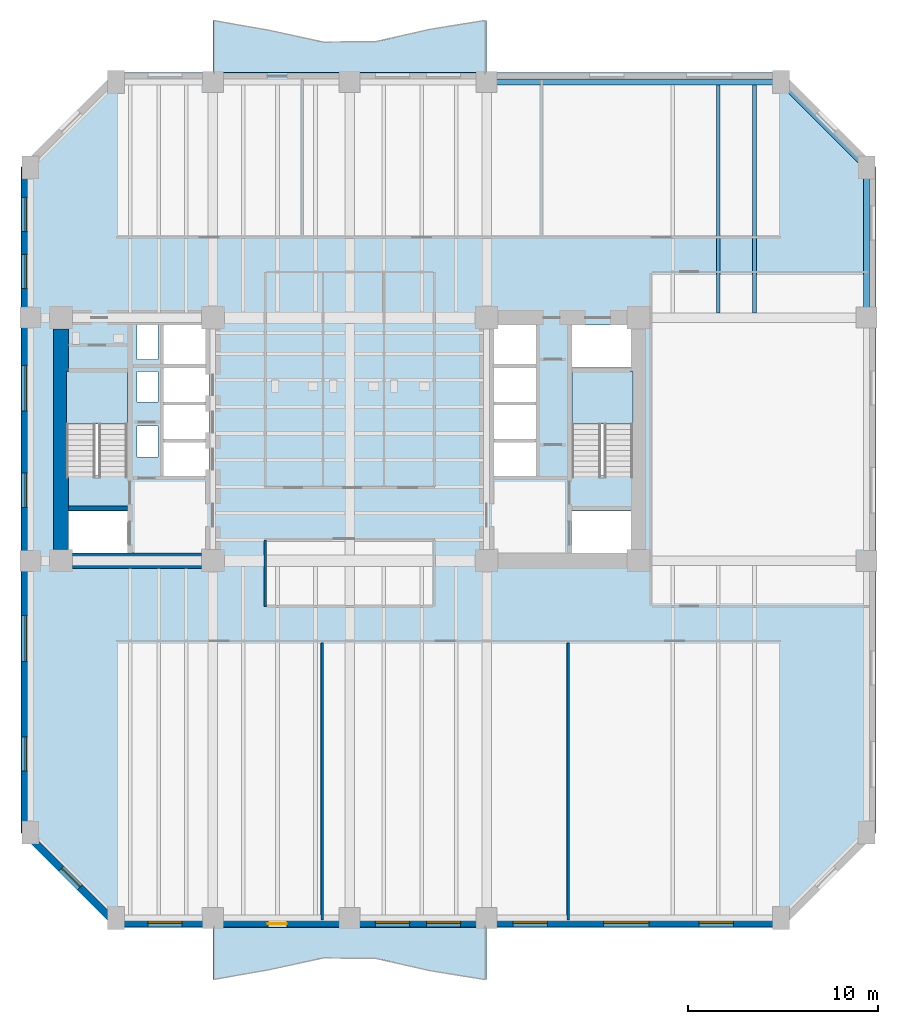
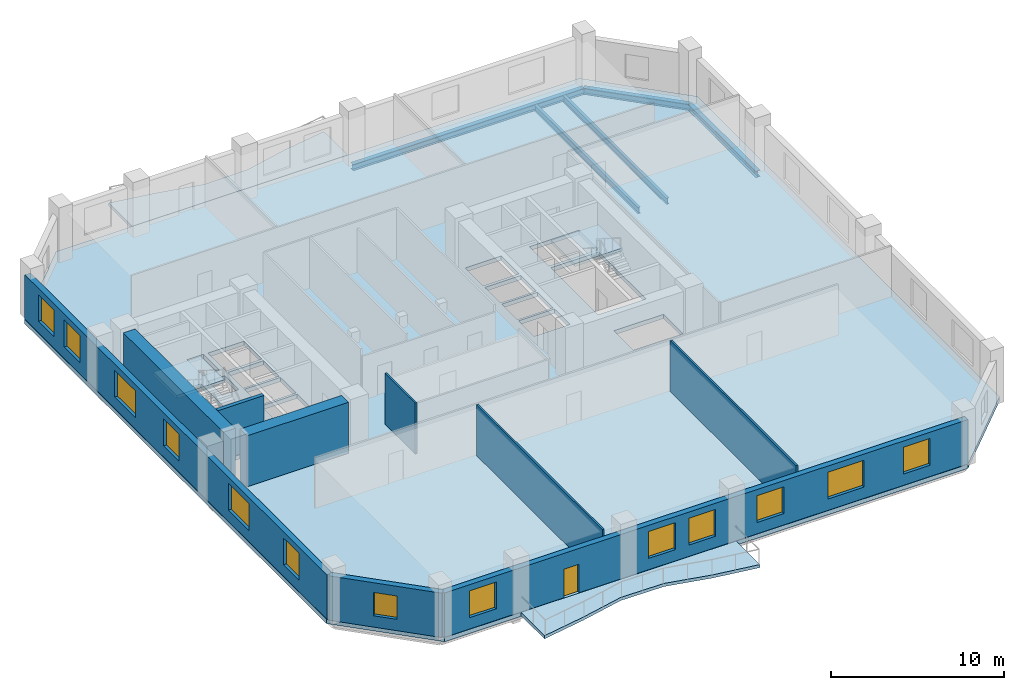
# One storey, part 2 of 9: 13 windows, 9 walls, 5 beams, 5 slabs, 1 door, 14 openings, 2 elements without a shape of their own.
"""IFC4 building model written with IfcOpenShell, lengths in metres."""

from ifc_helpers import new_model, si_unit, direction, frame, frame_2d, origin, origin_2d, place, context, subcontext, project, spatial, polyline, rectangle, i_section, outline, extrude, material, layer, layer_set, material_profile, profile_set, type_object, element, fill, aggregate, save


model = new_model("IFC4")

# Units and contexts
model_context = context("Model", 3, precision=1e-05, world=origin(), true_north=direction((0.0, 1.0)))
body_context = subcontext(model_context, "Body", "Model", "MODEL_VIEW")
ifc_project = project(units=[si_unit("LENGTHUNIT", "METRE"), si_unit("AREAUNIT", "SQUARE_METRE"), si_unit("VOLUMEUNIT", "CUBIC_METRE"), si_unit("PLANEANGLEUNIT", "RADIAN"), si_unit("MASSUNIT", "GRAM", prefix="KILO")], contexts=[model_context])

# Site, building, storey
site_placement = place(None, origin())
site = spatial("IfcSite", under=ifc_project, at=site_placement, CompositionType="ELEMENT")
building_placement = place(site_placement, origin())
building = spatial("IfcBuilding", under=site, at=building_placement, Name="Kranthara Brick Stack", CompositionType="ELEMENT")
storey_placement = place(building_placement, frame((0.0, 0.0, 51.60009765625)))
storey = spatial("IfcBuildingStorey", under=building, at=storey_placement, Name="L12", CompositionType="ELEMENT", Elevation=51.60009765625)

# Beams
ifc_material_1 = material(Name="Steel S355", Category="steel")
ifc_material_profile_1 = material_profile(ifc_material_1, i_section(OverallWidth=0.18994140625, OverallDepth=0.449951171875, WebThickness=0.009521484375, FlangeThickness=0.0146484375, at=origin_2d()), Name="IPE 450")
ifc_profile_set_1 = profile_set([ifc_material_profile_1], Name="Steel S355")
beam_type_1 = type_object("IfcBeamType", Name="BM-JST-IPE450", PredefinedType="JOIST", material=ifc_profile_set_1)
for number, where, z_axis, x_axis, name in (
    (1, (47.39990234375, 33.85009765625, -0.525146484375), (0.0, 1.0, 0.0), (-1.0, 0.0, 0.0), "L12 North Wing Floor Joist 073"),
    (2, (49.300048828125, 33.85009765625, -0.525146484375), (0.0, 1.0, 0.0), (-1.0, 0.0, 0.0), "L12 North Wing Floor Joist 075"),
):
    element("IfcBeam", number, at=place(storey_placement, frame(where, z_axis=z_axis, x_axis=x_axis)), inside=storey, type_object=beam_type_1, Name=name, PredefinedType="JOIST", context=body_context, shape_type="SweptSolid", body=[
        extrude(i_section(OverallWidth=0.18994140625, OverallDepth=0.449951171875, WebThickness=0.009521484375, FlangeThickness=0.0146484375, at=origin_2d()), origin(), (0.0, 0.0, 1.0), 12.0),
    ])
ifc_material_2 = material(Name="Steel S355", Category="steel")
ifc_material_profile_2 = material_profile(ifc_material_2, i_section(OverallWidth=0.300048828125, OverallDepth=0.449951171875, WebThickness=0.013916015625, FlangeThickness=0.02587890625, at=origin_2d()), Name="HEB 450")
ifc_profile_set_2 = profile_set([ifc_material_profile_2], Name="Steel S355")
beam_type_2 = type_object("IfcBeamType", Name="BM-STL-HEB450", PredefinedType="SPANDREL", material=ifc_profile_set_2)
beam_1_placement = place(storey_placement, frame((35.199951171875, 46.0, -0.525146484375), z_axis=(1.0, 0.0, 0.0), x_axis=(0.0, 1.0, 0.0)))
element("IfcBeam", 3, at=beam_1_placement, inside=storey, type_object=beam_type_2, Name="L12 Perimeter Spandrel Beam 012", PredefinedType="SPANDREL", context=body_context, shape_type="SweptSolid", body=[
    extrude(i_section(OverallWidth=0.300048828125, OverallDepth=0.449951171875, WebThickness=0.013916015625, FlangeThickness=0.02587890625, at=origin_2d()), origin(), (0.0, 0.0, 1.0), 15.5),
])
beam_2_placement = place(storey_placement, frame((55.199951171875, 33.60009765625, -0.525146484375), z_axis=(0.0, 1.0, 0.0), x_axis=(-1.0, 0.0, 0.0)))
element("IfcBeam", 4, at=beam_2_placement, inside=storey, type_object=beam_type_2, Name="L12 Perimeter Spandrel Beam 018", PredefinedType="SPANDREL", context=body_context, shape_type="SweptSolid", body=[
    extrude(i_section(OverallWidth=0.300048828125, OverallDepth=0.449951171875, WebThickness=0.013916015625, FlangeThickness=0.02587890625, at=origin_2d()), origin(), (0.0, 0.0, 1.0), 7.89990234375),
])
beam_3_placement = place(storey_placement, frame((50.699951171875, 46.0, -0.525146484375), z_axis=(0.707106781187, -0.707106781187, 0.0), x_axis=(0.707106781187, 0.707106781187, 0.0)))
element("IfcBeam", 5, at=beam_3_placement, inside=storey, type_object=beam_type_2, Name="L12 Chamfer Corner Spandrel 022", PredefinedType="SPANDREL", context=body_context, shape_type="SweptSolid", body=[
    extrude(i_section(OverallWidth=0.300048828125, OverallDepth=0.449951171875, WebThickness=0.013916015625, FlangeThickness=0.02587890625, at=origin_2d()), origin(), (0.0, 0.0, 1.0), 6.364013671875),
])

# Slabs
ifc_material_3 = material(Name="Concrete C45/55", Category="concrete")
ifc_layer_1 = layer(ifc_material_3, 0.219970703125)
ifc_layer_set_1 = layer_set([ifc_layer_1], Name="Concrete C45/55")
slab_type_1 = type_object("IfcSlabType", Name="SLB-BALC-220", PredefinedType="FLOOR", material=ifc_layer_set_1)
slab_1_placement = place(storey_placement, frame((0.0, 0.0, -0.22021484375)))
element("IfcSlab", 6, at=slab_1_placement, inside=storey, type_object=slab_type_1, Name="L12 South Rippling Balcony Slab", PredefinedType="FLOOR", context=body_context, shape_type="SweptSolid", body=[
    extrude(outline(polyline([(20.800048828125, 1.5), (35.199951171875, 1.5), (35.199951171875, -1.245361328125), (32.320068359375, -0.78515625), (29.43994140625, -0.12353515625), (26.56005859375, -0.092529296875), (23.679931640625, -0.731201171875), (20.800048828125, -1.236328125), (20.800048828125, 1.5)])), origin(), (0.0, 0.0, 1.0), 0.22021484375),
])
slab_2_placement = place(storey_placement, frame((0.0, 0.0, -0.22021484375)))
element("IfcSlab", 7, at=slab_2_placement, inside=storey, type_object=slab_type_1, Name="L12 North Rippling Balcony Slab", PredefinedType="FLOOR", context=body_context, shape_type="SweptSolid", body=[
    extrude(outline(polyline([(35.199951171875, 46.5), (20.800048828125, 46.5), (20.800048828125, 49.236328125), (23.679931640625, 48.731201171875), (26.56005859375, 48.092529296875), (29.43994140625, 48.12353515625), (32.320068359375, 48.78515625), (35.199951171875, 49.245361328125), (35.199951171875, 46.5)])), origin(), (0.0, 0.0, 1.0), 0.22021484375),
])

# Stair, slab
ifc_material_4 = material(Name="Concrete C45/55", Category="concrete")
stair_type = type_object("IfcStairType", Name="ST-CORE-22R", PredefinedType="HALF_TURN_STAIR", material=ifc_material_4)
stair_1_placement = place(storey_placement, origin())
stair_1 = element("IfcStair", 8, at=stair_1_placement, inside=storey, type_object=stair_type, Name="L12 West Core Protected Exit Stair ST01", PredefinedType="HALF_TURN_STAIR")
ifc_material_5 = material(Name="Concrete C45/55", Category="concrete")
ifc_layer_2 = layer(ifc_material_5, 0.199951171875)
ifc_layer_set_2 = layer_set([ifc_layer_2], Name="Concrete C45/55")
slab_type_2 = type_object("IfcSlabType", Name="SLB-LANDING-200", PredefinedType="LANDING", material=ifc_layer_set_2)
slab_3_placement = place(storey_placement, frame((0.0, 0.0, 1.75)))
slab_3 = element("IfcSlab", 9, at=slab_3_placement, type_object=slab_type_2, Name="ST01 landing 1", PredefinedType="LANDING", context=body_context, shape_type="SweptSolid", body=[
    extrude(outline(polyline([(16.300048828125, 28.0), (16.300048828125, 30.75), (13.10009765625, 30.75), (13.10009765625, 28.0), (16.300048828125, 28.0)])), origin(), (0.0, 0.0, 1.0), 0.199951171875),
])
aggregate(stair_1, [slab_3])

stair_2_placement = place(storey_placement, origin())
stair_2 = element("IfcStair", 10, at=stair_2_placement, inside=storey, type_object=stair_type, Name="L12 East Core Protected Exit Stair ST02", PredefinedType="HALF_TURN_STAIR")
slab_4_placement = place(storey_placement, frame((0.0, 0.0, 1.75)))
slab_4 = element("IfcSlab", 11, at=slab_4_placement, type_object=slab_type_2, Name="ST02 landing 1", PredefinedType="LANDING", context=body_context, shape_type="SweptSolid", body=[
    extrude(outline(polyline([(42.89990234375, 28.0), (42.89990234375, 30.75), (39.699951171875, 30.75), (39.699951171875, 28.0), (42.89990234375, 28.0)])), origin(), (0.0, 0.0, 1.0), 0.199951171875),
])
aggregate(stair_2, [slab_4])

# Slab
ifc_material_6 = material(Name="Post-tensioned concrete C45/55", Category="concrete")
ifc_layer_3 = layer(ifc_material_6, 0.300048828125)
ifc_layer_set_3 = layer_set([ifc_layer_3], Name="Post-tensioned concrete C45/55")
slab_type_3 = type_object("IfcSlabType", Name="SLB-TWR-300", PredefinedType="FLOOR", material=ifc_layer_set_3)
slab_5_placement = place(storey_placement, frame((0.0, 0.0, -0.300048828125)))
element("IfcSlab", 12, at=slab_5_placement, inside=storey, type_object=slab_type_3, Name="L12 Structural Floor Plate", PredefinedType="FLOOR", context=body_context, shape_type="SweptSolid", body=[
    extrude(outline(polyline([(15.699951171875, 1.5), (50.699951171875, 1.5), (55.699951171875, 6.5), (55.699951171875, 41.5), (50.699951171875, 46.5), (15.699951171875, 46.5), (10.699951171875, 41.5), (10.699951171875, 6.5), (15.699951171875, 1.5)]), holes=[polyline([(13.10009765625, 25.280029296875), (16.300048828125, 25.280029296875), (16.300048828125, 30.75), (13.10009765625, 30.75), (13.10009765625, 25.280029296875)]), polyline([(39.699951171875, 25.280029296875), (42.89990234375, 25.280029296875), (42.89990234375, 30.75), (39.699951171875, 30.75), (39.699951171875, 25.280029296875)]), polyline([(13.0, 21.179931640625), (16.320068359375, 21.179931640625), (16.320068359375, 23.419921875), (13.0, 23.419921875), (13.0, 21.179931640625)]), polyline([(39.679931640625, 21.179931640625), (43.0, 21.179931640625), (43.0, 23.419921875), (39.679931640625, 23.419921875), (39.679931640625, 21.179931640625)]), polyline([(39.679931640625, 30.97998046875), (43.0, 30.97998046875), (43.0, 33.219970703125), (39.679931640625, 33.219970703125), (39.679931640625, 30.97998046875)]), polyline([(18.199951171875, 25.25), (20.60009765625, 25.25), (20.60009765625, 27.050048828125), (18.199951171875, 27.050048828125), (18.199951171875, 25.25)]), polyline([(18.199951171875, 27.199951171875), (20.60009765625, 27.199951171875), (20.60009765625, 29.0), (18.199951171875, 29.0), (18.199951171875, 27.199951171875)]), polyline([(18.199951171875, 29.14990234375), (20.60009765625, 29.14990234375), (20.60009765625, 30.949951171875), (18.199951171875, 30.949951171875), (18.199951171875, 29.14990234375)]), polyline([(35.39990234375, 25.25), (37.800048828125, 25.25), (37.800048828125, 27.050048828125), (35.39990234375, 27.050048828125), (35.39990234375, 25.25)]), polyline([(35.39990234375, 27.199951171875), (37.800048828125, 27.199951171875), (37.800048828125, 29.0), (35.39990234375, 29.0), (35.39990234375, 27.199951171875)]), polyline([(35.39990234375, 29.14990234375), (37.800048828125, 29.14990234375), (37.800048828125, 30.949951171875), (35.39990234375, 30.949951171875), (35.39990234375, 29.14990234375)]), polyline([(18.199951171875, 31.14990234375), (20.60009765625, 31.14990234375), (20.60009765625, 33.219970703125), (18.199951171875, 33.219970703125), (18.199951171875, 31.14990234375)]), polyline([(35.39990234375, 31.14990234375), (37.800048828125, 31.14990234375), (37.800048828125, 33.219970703125), (35.39990234375, 33.219970703125), (35.39990234375, 31.14990234375)]), polyline([(16.800048828125, 26.25), (17.89990234375, 26.25), (17.89990234375, 27.89990234375), (16.800048828125, 27.89990234375), (16.800048828125, 26.25)]), polyline([(16.800048828125, 29.14990234375), (17.89990234375, 29.14990234375), (17.89990234375, 30.75), (16.800048828125, 30.75), (16.800048828125, 29.14990234375)]), polyline([(16.800048828125, 31.39990234375), (17.89990234375, 31.39990234375), (17.89990234375, 33.25), (16.800048828125, 33.25), (16.800048828125, 31.39990234375)])]), origin(), (0.0, 0.0, 1.0), 0.300048828125),
])

# Wall, openings, door, windows
ifc_material_7 = material(Name="Kiln-fired clay brick masonry M15", Category="masonry")
ifc_layer_4 = layer(ifc_material_7, 0.3798828125)
ifc_layer_set_4 = layer_set([ifc_layer_4], Name="Kiln-fired clay brick masonry M15")
wall_type_1 = type_object("IfcWallType", Name="WL-BRK-PIER-380", PredefinedType="STANDARD", material=ifc_layer_set_4)
wall_1_placement = place(storey_placement, frame((50.699951171875, 1.7099609375, 0.0), z_axis=(0.0, 0.0, 1.0), x_axis=(-1.0, 0.0, 0.0)))
wall_1 = element("IfcWall", 13, at=wall_1_placement, inside=storey, type_object=wall_type_1, Name="L12 Exterior Brick Facade Wall SOUTH 1", PredefinedType="STANDARD", context=body_context, shape_type="SweptSolid", body=[
    extrude(rectangle(XDim=35.0, YDim=0.3798828125, at=frame_2d((17.5, 0.0))), origin(), (0.0, 0.0, 1.0), 3.135009765625),
])
opening_1_placement = place(wall_1_placement, frame((26.0, 0.0, 0.0)))
opening_1 = element("IfcOpeningElement", 14, at=opening_1_placement, cuts=wall_1, Name="Opening D03", PredefinedType="OPENING", context=body_context, shape_type="SweptSolid", body=[
    extrude(rectangle(XDim=1.0, YDim=2.02001953125, at=frame_2d((0.5, 1.010009765625))), frame((0.0, 0.199951171875, 0.0), z_axis=(0.0, -1.0, 0.0), x_axis=(1.0, 0.0, 0.0)), (0.0, 0.0, 1.0), 0.39990234375),
])
opening_2_placement = place(wall_1_placement, frame((2.510986328125, 0.0, 0.800048828125)))
opening_2 = element("IfcOpeningElement", 15, at=opening_2_placement, cuts=wall_1, Name="Opening WN01", PredefinedType="OPENING", context=body_context, shape_type="SweptSolid", body=[
    extrude(rectangle(XDim=1.800048828125, YDim=1.89990234375, at=frame_2d((0.89990234375, 0.949951171875))), frame((0.0, 0.199951171875, 0.0), z_axis=(0.0, -1.0, 0.0), x_axis=(1.0, 0.0, 0.0)), (0.0, 0.0, 1.0), 0.39990234375),
])
opening_3_placement = place(wall_1_placement, frame((6.93896484375, 0.0, 0.800048828125)))
opening_3 = element("IfcOpeningElement", 16, at=opening_3_placement, cuts=wall_1, Name="Opening WN02", PredefinedType="OPENING", context=body_context, shape_type="SweptSolid", body=[
    extrude(rectangle(XDim=2.39990234375, YDim=1.89990234375, at=frame_2d((1.199951171875, 0.949951171875))), frame((0.0, 0.199951171875, 0.0), z_axis=(0.0, -1.0, 0.0), x_axis=(1.0, 0.0, 0.0)), (0.0, 0.0, 1.0), 0.39990234375),
])
opening_4_placement = place(wall_1_placement, frame((12.300048828125, 0.0, 0.800048828125)))
opening_4 = element("IfcOpeningElement", 17, at=opening_4_placement, cuts=wall_1, Name="Opening WN01", PredefinedType="OPENING", context=body_context, shape_type="SweptSolid", body=[
    extrude(rectangle(XDim=1.800048828125, YDim=1.89990234375, at=frame_2d((0.89990234375, 0.949951171875))), frame((0.0, 0.199951171875, 0.0), z_axis=(0.0, -1.0, 0.0), x_axis=(1.0, 0.0, 0.0)), (0.0, 0.0, 1.0), 0.39990234375),
])
opening_5_placement = place(wall_1_placement, frame((16.85595703125, 0.0, 0.800048828125)))
opening_5 = element("IfcOpeningElement", 18, at=opening_5_placement, cuts=wall_1, Name="Opening WN01", PredefinedType="OPENING", context=body_context, shape_type="SweptSolid", body=[
    extrude(rectangle(XDim=1.800048828125, YDim=1.89990234375, at=frame_2d((0.89990234375, 0.949951171875))), frame((0.0, 0.199951171875, 0.0), z_axis=(0.0, -1.0, 0.0), x_axis=(1.0, 0.0, 0.0)), (0.0, 0.0, 1.0), 0.39990234375),
])
opening_6_placement = place(wall_1_placement, frame((19.5439453125, 0.0, 0.800048828125)))
opening_6 = element("IfcOpeningElement", 19, at=opening_6_placement, cuts=wall_1, Name="Opening WN01", PredefinedType="OPENING", context=body_context, shape_type="SweptSolid", body=[
    extrude(rectangle(XDim=1.800048828125, YDim=1.89990234375, at=frame_2d((0.89990234375, 0.949951171875))), frame((0.0, 0.199951171875, 0.0), z_axis=(0.0, -1.0, 0.0), x_axis=(1.0, 0.0, 0.0)), (0.0, 0.0, 1.0), 0.39990234375),
])
opening_7_placement = place(wall_1_placement, frame((31.52490234375, 0.0, 0.800048828125)))
opening_7 = element("IfcOpeningElement", 20, at=opening_7_placement, cuts=wall_1, Name="Opening WN01", PredefinedType="OPENING", context=body_context, shape_type="SweptSolid", body=[
    extrude(rectangle(XDim=1.800048828125, YDim=1.89990234375, at=frame_2d((0.89990234375, 0.949951171875))), frame((0.0, 0.199951171875, 0.0), z_axis=(0.0, -1.0, 0.0), x_axis=(1.0, 0.0, 0.0)), (0.0, 0.0, 1.0), 0.39990234375),
])
ifc_material_8 = material(Name="Bronze anodised aluminium and laminated glass", Category="aluminium")
door_type = type_object("IfcDoorType", Name="DR-BALC-1000", OperationType="NOTDEFINED", PredefinedType="DOOR", material=ifc_material_8)
door_placement = place(opening_1_placement, origin())
door = element("IfcDoor", 21, at=door_placement, inside=storey, type_object=door_type, Name="L12 South Balcony Terrace Door", OperationType="SINGLE_SWING_LEFT", OverallHeight=2.02001953125, OverallWidth=1.0, PredefinedType="DOOR", context=body_context, shape_type="SweptSolid", body=[
    extrude(rectangle(XDim=1.0, YDim=2.02001953125, at=frame_2d((0.5, 1.010009765625))), frame((0.0, 0.02490234375, 0.0), z_axis=(0.0, -1.0, 0.0), x_axis=(1.0, 0.0, 0.0)), (0.0, 0.0, 1.0), 0.050048828125),
])
fill(opening_1, door)
ifc_material_9 = material(Name="Double-glazed low-E solar control glass", Category="glass")
window_type_1 = type_object("IfcWindowType", Name="WN-OFF-1800x2000", PartitioningType="SINGLE_PANEL", PredefinedType="WINDOW", material=ifc_material_9)
window_1_placement = place(opening_2_placement, origin())
window_1 = element("IfcWindow", 22, at=window_1_placement, inside=storey, type_object=window_type_1, Name="L12 South Deep-Set Brick Window 01", OverallHeight=1.89990234375, OverallWidth=1.800048828125, PartitioningType="SINGLE_PANEL", PredefinedType="WINDOW", context=body_context, shape_type="SweptSolid", body=[
    extrude(rectangle(XDim=1.800048828125, YDim=1.89990234375, at=frame_2d((0.89990234375, 0.949951171875))), frame((0.0, -0.010009765625, 0.0), z_axis=(0.0, -1.0, 0.0), x_axis=(1.0, 0.0, 0.0)), (0.0, 0.0, 1.0), 0.06005859375),
])
fill(opening_2, window_1)
window_2_placement = place(opening_4_placement, origin())
window_2 = element("IfcWindow", 23, at=window_2_placement, inside=storey, type_object=window_type_1, Name="L12 South Deep-Set Brick Window 03", OverallHeight=1.89990234375, OverallWidth=1.800048828125, PartitioningType="SINGLE_PANEL", PredefinedType="WINDOW", context=body_context, shape_type="SweptSolid", body=[
    extrude(rectangle(XDim=1.800048828125, YDim=1.89990234375, at=frame_2d((0.89990234375, 0.949951171875))), frame((0.0, -0.010009765625, 0.0), z_axis=(0.0, -1.0, 0.0), x_axis=(1.0, 0.0, 0.0)), (0.0, 0.0, 1.0), 0.06005859375),
])
fill(opening_4, window_2)
window_3_placement = place(opening_5_placement, origin())
window_3 = element("IfcWindow", 24, at=window_3_placement, inside=storey, type_object=window_type_1, Name="L12 South Deep-Set Brick Window 04", OverallHeight=1.89990234375, OverallWidth=1.800048828125, PartitioningType="SINGLE_PANEL", PredefinedType="WINDOW", context=body_context, shape_type="SweptSolid", body=[
    extrude(rectangle(XDim=1.800048828125, YDim=1.89990234375, at=frame_2d((0.89990234375, 0.949951171875))), frame((0.0, -0.010009765625, 0.0), z_axis=(0.0, -1.0, 0.0), x_axis=(1.0, 0.0, 0.0)), (0.0, 0.0, 1.0), 0.06005859375),
])
fill(opening_5, window_3)
window_4_placement = place(opening_6_placement, origin())
window_4 = element("IfcWindow", 25, at=window_4_placement, inside=storey, type_object=window_type_1, Name="L12 South Deep-Set Brick Window 05", OverallHeight=1.89990234375, OverallWidth=1.800048828125, PartitioningType="SINGLE_PANEL", PredefinedType="WINDOW", context=body_context, shape_type="SweptSolid", body=[
    extrude(rectangle(XDim=1.800048828125, YDim=1.89990234375, at=frame_2d((0.89990234375, 0.949951171875))), frame((0.0, -0.010009765625, 0.0), z_axis=(0.0, -1.0, 0.0), x_axis=(1.0, 0.0, 0.0)), (0.0, 0.0, 1.0), 0.06005859375),
])
fill(opening_6, window_4)
window_5_placement = place(opening_7_placement, origin())
window_5 = element("IfcWindow", 26, at=window_5_placement, inside=storey, type_object=window_type_1, Name="L12 South Deep-Set Brick Window 06", OverallHeight=1.89990234375, OverallWidth=1.800048828125, PartitioningType="SINGLE_PANEL", PredefinedType="WINDOW", context=body_context, shape_type="SweptSolid", body=[
    extrude(rectangle(XDim=1.800048828125, YDim=1.89990234375, at=frame_2d((0.89990234375, 0.949951171875))), frame((0.0, -0.010009765625, 0.0), z_axis=(0.0, -1.0, 0.0), x_axis=(1.0, 0.0, 0.0)), (0.0, 0.0, 1.0), 0.06005859375),
])
fill(opening_7, window_5)
ifc_material_10 = material(Name="Double-glazed low-E solar control glass", Category="glass")
window_type_2 = type_object("IfcWindowType", Name="WN-OFF-2400x2000", PartitioningType="DOUBLE_PANEL_VERTICAL", PredefinedType="WINDOW", material=ifc_material_10)
window_6_placement = place(opening_3_placement, origin())
window_6 = element("IfcWindow", 27, at=window_6_placement, inside=storey, type_object=window_type_2, Name="L12 South Deep-Set Brick Window 02", OverallHeight=1.89990234375, OverallWidth=2.39990234375, PartitioningType="SINGLE_PANEL", PredefinedType="WINDOW", context=body_context, shape_type="SweptSolid", body=[
    extrude(rectangle(XDim=2.39990234375, YDim=1.89990234375, at=frame_2d((1.199951171875, 0.949951171875))), frame((0.0, -0.010009765625, 0.0), z_axis=(0.0, -1.0, 0.0), x_axis=(1.0, 0.0, 0.0)), (0.0, 0.0, 1.0), 0.06005859375),
])
fill(opening_3, window_6)

# Wall, opening, window
wall_2_placement = place(storey_placement, frame((15.699951171875, 1.7099609375, 0.0), z_axis=(0.0, 0.0, 1.0), x_axis=(-0.707106781187, 0.707106781187, 0.0)))
wall_2 = element("IfcWall", 28, at=wall_2_placement, inside=storey, type_object=wall_type_1, Name="L12 Exterior Brick Facade Wall SW 1", PredefinedType="STANDARD", context=body_context, shape_type="SweptSolid", body=[
    extrude(rectangle(XDim=6.774169921875, YDim=0.3798828125, at=frame_2d((3.38720703125, 0.0))), origin(), (0.0, 0.0, 1.0), 3.135009765625),
])
opening_8_placement = place(wall_2_placement, frame((2.68701171875, 0.0, 0.800048828125)))
opening_8 = element("IfcOpeningElement", 29, at=opening_8_placement, cuts=wall_2, Name="Opening WN10", PredefinedType="OPENING", context=body_context, shape_type="SweptSolid", body=[
    extrude(rectangle(XDim=1.39990234375, YDim=1.64990234375, at=frame_2d((0.699951171875, 0.824951171875))), frame((0.0, 0.199951171875, 0.0), z_axis=(0.0, -1.0, 0.0), x_axis=(1.0, 0.0, 0.0)), (0.0, 0.0, 1.0), 0.39990234375),
])
ifc_material_11 = material(Name="Double-glazed low-E solar control glass", Category="glass")
window_type_3 = type_object("IfcWindowType", Name="WN-CHM-1400x1750", PartitioningType="SINGLE_PANEL", PredefinedType="WINDOW", material=ifc_material_11)
window_7_placement = place(opening_8_placement, origin())
window_7 = element("IfcWindow", 30, at=window_7_placement, inside=storey, type_object=window_type_3, Name="L12 SW Chamfer Corner Window", OverallHeight=1.64990234375, OverallWidth=1.39990234375, PartitioningType="SINGLE_PANEL", PredefinedType="WINDOW", context=body_context, shape_type="SweptSolid", body=[
    extrude(rectangle(XDim=1.39990234375, YDim=1.64990234375, at=frame_2d((0.699951171875, 0.824951171875))), frame((0.0, -0.010009765625, 0.0), z_axis=(0.0, -1.0, 0.0), x_axis=(1.0, 0.0, 0.0)), (0.0, 0.0, 1.0), 0.06005859375),
])
fill(opening_8, window_7)

# Wall, openings, windows
wall_3_placement = place(storey_placement, frame((10.909912109375, 6.5, 0.0), z_axis=(0.0, 0.0, 1.0), x_axis=(0.0, 1.0, 0.0)))
wall_3 = element("IfcWall", 31, at=wall_3_placement, inside=storey, type_object=wall_type_1, Name="L12 Exterior Brick Facade Wall WEST 1", PredefinedType="STANDARD", context=body_context, shape_type="SweptSolid", body=[
    extrude(rectangle(XDim=35.0, YDim=0.3798828125, at=frame_2d((17.5, 0.0))), origin(), (0.0, 0.0, 1.0), 3.135009765625),
])
opening_9_placement = place(wall_3_placement, frame((3.239013671875, 0.0, 0.800048828125)))
opening_9 = element("IfcOpeningElement", 32, at=opening_9_placement, cuts=wall_3, Name="Opening WN01", PredefinedType="OPENING", context=body_context, shape_type="SweptSolid", body=[
    extrude(rectangle(XDim=1.800048828125, YDim=1.89990234375, at=frame_2d((0.89990234375, 0.949951171875))), frame((0.0, 0.199951171875, 0.0), z_axis=(0.0, -1.0, 0.0), x_axis=(1.0, 0.0, 0.0)), (0.0, 0.0, 1.0), 0.39990234375),
])
opening_10_placement = place(wall_3_placement, frame((9.010986328125, 0.0, 0.800048828125)))
opening_10 = element("IfcOpeningElement", 33, at=opening_10_placement, cuts=wall_3, Name="Opening WN02", PredefinedType="OPENING", context=body_context, shape_type="SweptSolid", body=[
    extrude(rectangle(XDim=2.39990234375, YDim=1.89990234375, at=frame_2d((1.199951171875, 0.949951171875))), frame((0.0, 0.199951171875, 0.0), z_axis=(0.0, -1.0, 0.0), x_axis=(1.0, 0.0, 0.0)), (0.0, 0.0, 1.0), 0.39990234375),
])
opening_11_placement = place(wall_3_placement, frame((17.112060546875, 0.0, 0.800048828125)))
opening_11 = element("IfcOpeningElement", 34, at=opening_11_placement, cuts=wall_3, Name="Opening WN01", PredefinedType="OPENING", context=body_context, shape_type="SweptSolid", body=[
    extrude(rectangle(XDim=1.800048828125, YDim=1.89990234375, at=frame_2d((0.89990234375, 0.949951171875))), frame((0.0, 0.199951171875, 0.0), z_axis=(0.0, -1.0, 0.0), x_axis=(1.0, 0.0, 0.0)), (0.0, 0.0, 1.0), 0.39990234375),
])
opening_12_placement = place(wall_3_placement, frame((22.18798828125, 0.0, 0.800048828125)))
opening_12 = element("IfcOpeningElement", 35, at=opening_12_placement, cuts=wall_3, Name="Opening WN02", PredefinedType="OPENING", context=body_context, shape_type="SweptSolid", body=[
    extrude(rectangle(XDim=2.39990234375, YDim=1.89990234375, at=frame_2d((1.199951171875, 0.949951171875))), frame((0.0, 0.199951171875, 0.0), z_axis=(0.0, -1.0, 0.0), x_axis=(1.0, 0.0, 0.0)), (0.0, 0.0, 1.0), 0.39990234375),
])
opening_13_placement = place(wall_3_placement, frame((28.625, 0.0, 0.800048828125)))
opening_13 = element("IfcOpeningElement", 36, at=opening_13_placement, cuts=wall_3, Name="Opening WN01", PredefinedType="OPENING", context=body_context, shape_type="SweptSolid", body=[
    extrude(rectangle(XDim=1.800048828125, YDim=1.89990234375, at=frame_2d((0.89990234375, 0.949951171875))), frame((0.0, 0.199951171875, 0.0), z_axis=(0.0, -1.0, 0.0), x_axis=(1.0, 0.0, 0.0)), (0.0, 0.0, 1.0), 0.39990234375),
])
opening_14_placement = place(wall_3_placement, frame((31.625, 0.0, 0.800048828125)))
opening_14 = element("IfcOpeningElement", 37, at=opening_14_placement, cuts=wall_3, Name="Opening WN01", PredefinedType="OPENING", context=body_context, shape_type="SweptSolid", body=[
    extrude(rectangle(XDim=1.800048828125, YDim=1.89990234375, at=frame_2d((0.89990234375, 0.949951171875))), frame((0.0, 0.199951171875, 0.0), z_axis=(0.0, -1.0, 0.0), x_axis=(1.0, 0.0, 0.0)), (0.0, 0.0, 1.0), 0.39990234375),
])
window_8_placement = place(opening_9_placement, origin())
window_8 = element("IfcWindow", 38, at=window_8_placement, inside=storey, type_object=window_type_1, Name="L12 West Deep-Set Brick Window 01", OverallHeight=1.89990234375, OverallWidth=1.800048828125, PartitioningType="SINGLE_PANEL", PredefinedType="WINDOW", context=body_context, shape_type="SweptSolid", body=[
    extrude(rectangle(XDim=1.800048828125, YDim=1.89990234375, at=frame_2d((0.89990234375, 0.949951171875))), frame((0.0, -0.010009765625, 0.0), z_axis=(0.0, -1.0, 0.0), x_axis=(1.0, 0.0, 0.0)), (0.0, 0.0, 1.0), 0.06005859375),
])
fill(opening_9, window_8)
window_9_placement = place(opening_11_placement, origin())
window_9 = element("IfcWindow", 39, at=window_9_placement, inside=storey, type_object=window_type_1, Name="L12 West Deep-Set Brick Window 03", OverallHeight=1.89990234375, OverallWidth=1.800048828125, PartitioningType="SINGLE_PANEL", PredefinedType="WINDOW", context=body_context, shape_type="SweptSolid", body=[
    extrude(rectangle(XDim=1.800048828125, YDim=1.89990234375, at=frame_2d((0.89990234375, 0.949951171875))), frame((0.0, -0.010009765625, 0.0), z_axis=(0.0, -1.0, 0.0), x_axis=(1.0, 0.0, 0.0)), (0.0, 0.0, 1.0), 0.06005859375),
])
fill(opening_11, window_9)
window_10_placement = place(opening_13_placement, origin())
window_10 = element("IfcWindow", 40, at=window_10_placement, inside=storey, type_object=window_type_1, Name="L12 West Deep-Set Brick Window 05", OverallHeight=1.89990234375, OverallWidth=1.800048828125, PartitioningType="SINGLE_PANEL", PredefinedType="WINDOW", context=body_context, shape_type="SweptSolid", body=[
    extrude(rectangle(XDim=1.800048828125, YDim=1.89990234375, at=frame_2d((0.89990234375, 0.949951171875))), frame((0.0, -0.010009765625, 0.0), z_axis=(0.0, -1.0, 0.0), x_axis=(1.0, 0.0, 0.0)), (0.0, 0.0, 1.0), 0.06005859375),
])
fill(opening_13, window_10)
window_11_placement = place(opening_14_placement, origin())
window_11 = element("IfcWindow", 41, at=window_11_placement, inside=storey, type_object=window_type_1, Name="L12 West Deep-Set Brick Window 06", OverallHeight=1.89990234375, OverallWidth=1.800048828125, PartitioningType="SINGLE_PANEL", PredefinedType="WINDOW", context=body_context, shape_type="SweptSolid", body=[
    extrude(rectangle(XDim=1.800048828125, YDim=1.89990234375, at=frame_2d((0.89990234375, 0.949951171875))), frame((0.0, -0.010009765625, 0.0), z_axis=(0.0, -1.0, 0.0), x_axis=(1.0, 0.0, 0.0)), (0.0, 0.0, 1.0), 0.06005859375),
])
fill(opening_14, window_11)
window_12_placement = place(opening_10_placement, origin())
window_12 = element("IfcWindow", 42, at=window_12_placement, inside=storey, type_object=window_type_2, Name="L12 West Deep-Set Brick Window 02", OverallHeight=1.89990234375, OverallWidth=2.39990234375, PartitioningType="SINGLE_PANEL", PredefinedType="WINDOW", context=body_context, shape_type="SweptSolid", body=[
    extrude(rectangle(XDim=2.39990234375, YDim=1.89990234375, at=frame_2d((1.199951171875, 0.949951171875))), frame((0.0, -0.010009765625, 0.0), z_axis=(0.0, -1.0, 0.0), x_axis=(1.0, 0.0, 0.0)), (0.0, 0.0, 1.0), 0.06005859375),
])
fill(opening_10, window_12)
window_13_placement = place(opening_12_placement, origin())
window_13 = element("IfcWindow", 43, at=window_13_placement, inside=storey, type_object=window_type_2, Name="L12 West Deep-Set Brick Window 04", OverallHeight=1.89990234375, OverallWidth=2.39990234375, PartitioningType="SINGLE_PANEL", PredefinedType="WINDOW", context=body_context, shape_type="SweptSolid", body=[
    extrude(rectangle(XDim=2.39990234375, YDim=1.89990234375, at=frame_2d((1.199951171875, 0.949951171875))), frame((0.0, -0.010009765625, 0.0), z_axis=(0.0, -1.0, 0.0), x_axis=(1.0, 0.0, 0.0)), (0.0, 0.0, 1.0), 0.06005859375),
])
fill(opening_12, window_13)

# Walls
ifc_material_12 = material(Name="Concrete C50/60", Category="concrete")
ifc_layer_5 = layer(ifc_material_12, 0.25)
ifc_layer_set_5 = layer_set([ifc_layer_5], Name="Concrete C50/60")
wall_type_2 = type_object("IfcWallType", Name="WL-CORE-250", PredefinedType="SHEAR", material=ifc_layer_set_5)
wall_4_placement = place(storey_placement, frame((13.2099609375, 23.570068359375, 0.0), z_axis=(0.0, 0.0, 1.0), x_axis=(1.0, 0.0, 0.0)))
element("IfcWall", 44, at=wall_4_placement, inside=storey, type_object=wall_type_2, Name="L12 West Stairwell Bearing Wall WFF", PredefinedType="SHEAR", context=body_context, shape_type="SweptSolid", body=[
    extrude(rectangle(XDim=3.10009765625, YDim=0.25, at=frame_2d((1.550048828125, 0.0))), origin(), (0.0, 0.0, 1.0), 3.599853515625),
])
ifc_material_13 = material(Name="Concrete C70/85", Category="concrete")
ifc_layer_6 = layer(ifc_material_13, 0.800048828125)
ifc_layer_set_6 = layer_set([ifc_layer_6], Name="Concrete C70/85")
wall_type_3 = type_object("IfcWallType", Name="WL-CORE-800", PredefinedType="SHEAR", material=ifc_layer_set_6)
wall_5_placement = place(storey_placement, frame((12.800048828125, 21.405029296875, 0.0), z_axis=(0.0, 0.0, 1.0), x_axis=(0.0, 1.0, 0.0)))
element("IfcWall", 45, at=wall_5_placement, inside=storey, type_object=wall_type_3, Name="L12 West Core Shear Wall West", PredefinedType="SHEAR", context=body_context, shape_type="SweptSolid", body=[
    extrude(rectangle(XDim=11.590087890625, YDim=0.800048828125, at=frame_2d((5.794921875, 0.0))), origin(), (0.0, 0.0, 1.0), 3.599853515625),
])
wall_6_placement = place(storey_placement, frame((13.405029296875, 20.800048828125, 0.0), z_axis=(0.0, 0.0, 1.0), x_axis=(1.0, 0.0, 0.0)))
element("IfcWall", 46, at=wall_6_placement, inside=storey, type_object=wall_type_3, Name="L12 West Core Shear Wall South", PredefinedType="SHEAR", context=body_context, shape_type="SweptSolid", body=[
    extrude(rectangle(XDim=6.7900390625, YDim=0.800048828125, at=frame_2d((3.39501953125, 0.0))), origin(), (0.0, 0.0, 1.0), 3.599853515625),
])
ifc_material_14 = material(Name="Acoustic gypsum plasterboard partition", Category="other")
ifc_layer_7 = layer(ifc_material_14, 0.1201171875)
ifc_layer_set_7 = layer_set([ifc_layer_7], Name="Acoustic gypsum plasterboard partition")
wall_type_4 = type_object("IfcWallType", Name="WL-PART-120", PredefinedType="PARTITIONING", material=ifc_layer_set_7)
wall_7_placement = place(storey_placement, frame((23.550048828125, 18.39990234375, 0.0), z_axis=(0.0, 0.0, 1.0), x_axis=(0.0, 1.0, 0.0)))
element("IfcWall", 47, at=wall_7_placement, inside=storey, type_object=wall_type_4, Name="L12 Interior Partition 012", PredefinedType="PARTITIONING", context=body_context, shape_type="SweptSolid", body=[
    extrude(rectangle(XDim=3.485107421875, YDim=0.1201171875, at=frame_2d((1.74267578125, 0.0))), origin(), (0.0, 0.0, 1.0), 3.599853515625),
])
for number, where, z_axis, x_axis, name in (
    (48, (26.550048828125, 1.905029296875, 0.0), (0.0, 0.0, 1.0), (0.0, 1.0, 0.0), "L12 Interior Partition 016"),
    (49, (39.5, 1.905029296875, 0.0), (0.0, 0.0, 1.0), (0.0, 1.0, 0.0), "L12 Interior Partition 017"),
):
    element("IfcWall", number, at=place(storey_placement, frame(where, z_axis=z_axis, x_axis=x_axis)), inside=storey, type_object=wall_type_4, Name=name, PredefinedType="PARTITIONING", context=body_context, shape_type="SweptSolid", body=[
        extrude(rectangle(XDim=14.574951171875, YDim=0.1201171875, at=frame_2d((7.28759765625, 0.0))), origin(), (0.0, 0.0, 1.0), 3.599853515625),
    ])

save(model, "model.ifc")
